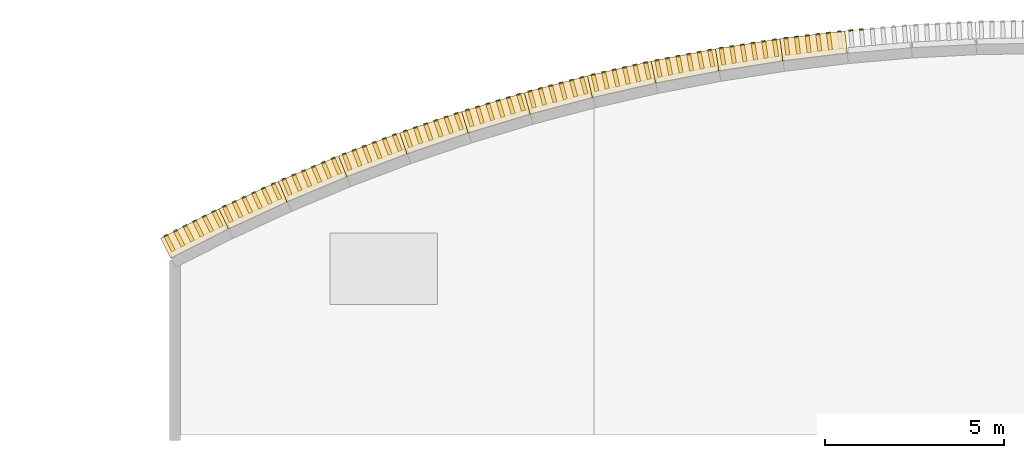
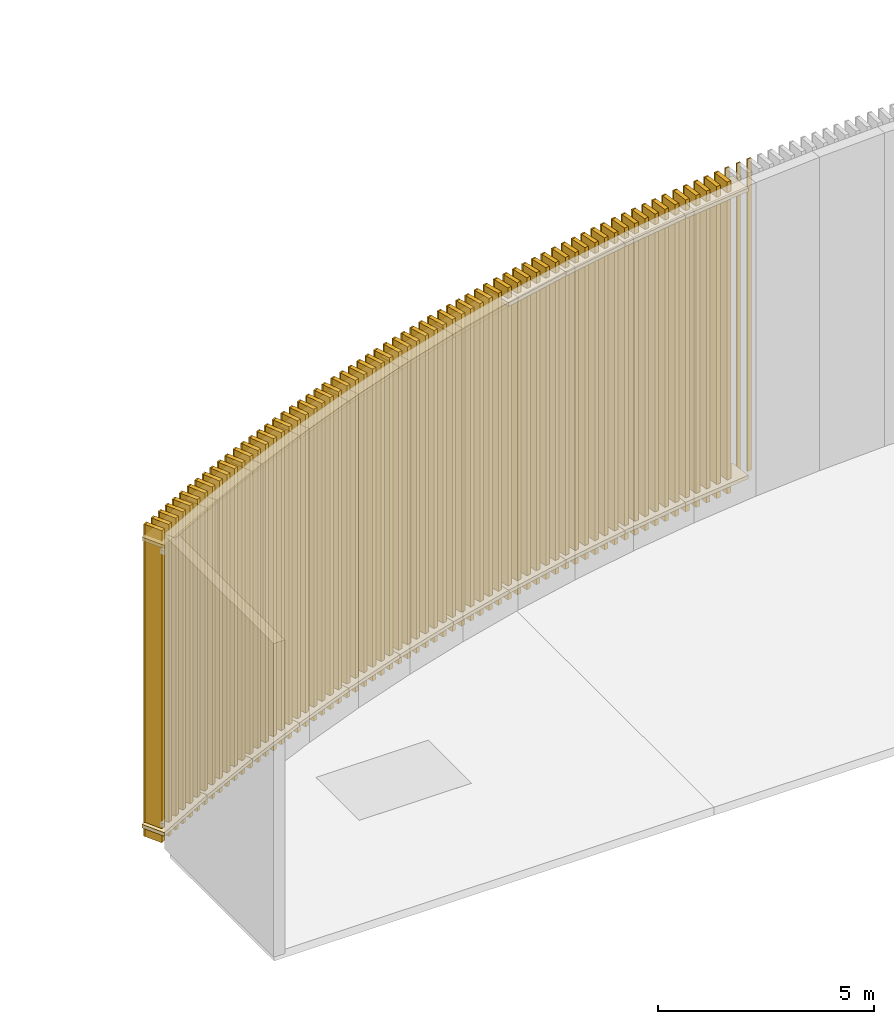
# One storey, part 30 of 32: 90 coverings, 65 shading devices.
"""IFC4 building model written with IfcOpenShell, lengths in metres."""

from ifc_helpers import new_model, si_unit, direction, frame, origin, origin_2d, place, context, subcontext, project, spatial, rectangle, extrude, material, layer, layer_set, type_object, element, save


model = new_model("IFC4")

# Units and contexts
model_context = context("Model", 3, precision=1e-05, world=origin(), true_north=direction((0.0, 1.0)))
body_context = subcontext(model_context, "Body", "Model", "MODEL_VIEW")
ifc_project = project(units=[si_unit("LENGTHUNIT", "METRE"), si_unit("AREAUNIT", "SQUARE_METRE"), si_unit("VOLUMEUNIT", "CUBIC_METRE"), si_unit("PLANEANGLEUNIT", "RADIAN"), si_unit("MASSUNIT", "GRAM", prefix="KILO")], contexts=[model_context])

# Site, building, storey
site_placement = place(None, origin())
site = spatial("IfcSite", under=ifc_project, at=site_placement, CompositionType="ELEMENT")
building_placement = place(site_placement, origin())
building = spatial("IfcBuilding", under=site, at=building_placement, Name="Sardonyx Promenade Sports Hall", CompositionType="ELEMENT")
storey_placement = place(building_placement, frame((0.0, 0.0, 20.39990234375)))
storey = spatial("IfcBuildingStorey", under=building, at=storey_placement, Name="L04", CompositionType="ELEMENT", Elevation=20.39990234375)

# Coverings
ifc_material_1 = material(Name="Glulam GL28h", Category="wood")
ifc_layer = layer(ifc_material_1, 0.110107421875)
ifc_layer_set = layer_set([ifc_layer], Name="Cov_Louvre_GL28h")
covering_type = type_object("IfcCoveringType", Name="Cov_Louvre_GL28h", PredefinedType="MOLDING", material=ifc_layer_set)
for number, where, z_axis, x_axis, name in (
    (1, (30.3701171875, 110.028076171875, 0.320068359375), (0.0, 0.0, 1.0), (0.892773817004, 0.450505173857, 0.0), "Bowed louvre carrier rail L04 CH01 #1"),
    (2, (30.3701171875, 110.028076171875, 8.429931640625), (0.0, 0.0, 1.0), (0.892773817004, 0.450505173857, 0.0), "Bowed louvre carrier rail L04 CH01 #2"),
):
    element("IfcCovering", number, at=place(storey_placement, frame(where, z_axis=z_axis, x_axis=x_axis)), inside=storey, type_object=covering_type, Name=name, PredefinedType="MOLDING", context=body_context, shape_type="SweptSolid", body=[
        extrude(rectangle(XDim=1.820068359375, YDim=0.6201171875, at=origin_2d()), origin(), (0.0, 0.0, 1.0), 0.10009765625),
    ])
for number, where, z_axis, x_axis, name in (
    (3, (29.560791015625, 109.966796875, 0.02001953125), (0.0, 0.0, 1.0), (0.892773817004, 0.450505173857, 0.0), "Timber louvre nose molding L04 CH01 #1"),
    (4, (29.82861328125, 110.10205078125, 0.02001953125), (0.0, 0.0, 1.0), (0.892773817004, 0.450505173857, 0.0), "Timber louvre nose molding L04 CH01 #2"),
    (5, (30.096435546875, 110.237060546875, 0.02001953125), (0.0, 0.0, 1.0), (0.892773817004, 0.450505173857, 0.0), "Timber louvre nose molding L04 CH01 #3"),
    (6, (30.3642578125, 110.372314453125, 0.02001953125), (0.0, 0.0, 1.0), (0.892773817004, 0.450505173857, 0.0), "Timber louvre nose molding L04 CH01 #4"),
    (7, (30.632080078125, 110.507568359375, 0.02001953125), (0.0, 0.0, 1.0), (0.892773817004, 0.450505173857, 0.0), "Timber louvre nose molding L04 CH01 #5"),
    (8, (30.89990234375, 110.642578125, 0.02001953125), (0.0, 0.0, 1.0), (0.892773817004, 0.450505173857, 0.0), "Timber louvre nose molding L04 CH01 #6"),
):
    element("IfcCovering", number, at=place(storey_placement, frame(where, z_axis=z_axis, x_axis=x_axis)), inside=storey, type_object=covering_type, Name=name, PredefinedType="MOLDING", context=body_context, shape_type="SweptSolid", body=[
        extrude(rectangle(XDim=0.110107421875, YDim=0.0400390625, at=origin_2d()), origin(), (0.0, 0.0, 1.0), 8.81005859375),
    ])
for number, where, z_axis, x_axis, name in (
    (9, (32.0048828125, 110.817626953125, 0.320068359375), (0.0, 0.0, 1.0), (0.90783091315, 0.419336419989, 0.0), "Bowed louvre carrier rail L04 CH02 #1"),
    (10, (32.0048828125, 110.817626953125, 8.429931640625), (0.0, 0.0, 1.0), (0.90783091315, 0.419336419989, 0.0), "Bowed louvre carrier rail L04 CH02 #2"),
):
    element("IfcCovering", number, at=place(storey_placement, frame(where, z_axis=z_axis, x_axis=x_axis)), inside=storey, type_object=covering_type, Name=name, PredefinedType="MOLDING", context=body_context, shape_type="SweptSolid", body=[
        extrude(rectangle(XDim=1.820068359375, YDim=0.6201171875, at=origin_2d()), origin(), (0.0, 0.0, 1.0), 0.10009765625),
    ])
for number, where, z_axis, x_axis, name in (
    (11, (31.194091796875, 110.78466796875, 0.02001953125), (0.0, 0.0, 1.0), (0.90783091315, 0.419336419989, 0.0), "Timber louvre nose molding L04 CH02 #1"),
    (12, (31.46630859375, 110.910400390625, 0.02001953125), (0.0, 0.0, 1.0), (0.90783091315, 0.419336419989, 0.0), "Timber louvre nose molding L04 CH02 #2"),
    (13, (31.73876953125, 111.036376953125, 0.02001953125), (0.0, 0.0, 1.0), (0.90783091315, 0.419336419989, 0.0), "Timber louvre nose molding L04 CH02 #3"),
    (14, (32.010986328125, 111.162109375, 0.02001953125), (0.0, 0.0, 1.0), (0.90783091315, 0.419336419989, 0.0), "Timber louvre nose molding L04 CH02 #4"),
    (15, (32.283447265625, 111.287841796875, 0.02001953125), (0.0, 0.0, 1.0), (0.90783091315, 0.419336419989, 0.0), "Timber louvre nose molding L04 CH02 #5"),
    (16, (32.5556640625, 111.41357421875, 0.02001953125), (0.0, 0.0, 1.0), (0.90783091315, 0.419336419989, 0.0), "Timber louvre nose molding L04 CH02 #6"),
):
    element("IfcCovering", number, at=place(storey_placement, frame(where, z_axis=z_axis, x_axis=x_axis)), inside=storey, type_object=covering_type, Name=name, PredefinedType="MOLDING", context=body_context, shape_type="SweptSolid", body=[
        extrude(rectangle(XDim=0.110107421875, YDim=0.0400390625, at=origin_2d()), origin(), (0.0, 0.0, 1.0), 8.81005859375),
    ])
for number, where, z_axis, x_axis, name in (
    (17, (33.666015625, 111.550537109375, 0.320068359375), (0.0, 0.0, 1.0), (0.921800239612, 0.387665214136, 0.0), "Bowed louvre carrier rail L04 CH03 #1"),
    (18, (33.666015625, 111.550537109375, 8.429931640625), (0.0, 0.0, 1.0), (0.921800239612, 0.387665214136, 0.0), "Bowed louvre carrier rail L04 CH03 #2"),
):
    element("IfcCovering", number, at=place(storey_placement, frame(where, z_axis=z_axis, x_axis=x_axis)), inside=storey, type_object=covering_type, Name=name, PredefinedType="MOLDING", context=body_context, shape_type="SweptSolid", body=[
        extrude(rectangle(XDim=1.820068359375, YDim=0.6201171875, at=origin_2d()), origin(), (0.0, 0.0, 1.0), 0.10009765625),
    ])
for number, where, z_axis, x_axis, name in (
    (19, (32.8544921875, 111.54541015625, 0.02001953125), (0.0, 0.0, 1.0), (0.921800239612, 0.387665214136, 0.0), "Timber louvre nose molding L04 CH03 #1"),
    (20, (33.131103515625, 111.661865234375, 0.02001953125), (0.0, 0.0, 1.0), (0.921800239612, 0.387665214136, 0.0), "Timber louvre nose molding L04 CH03 #2"),
    (21, (33.40771484375, 111.778076171875, 0.02001953125), (0.0, 0.0, 1.0), (0.921800239612, 0.387665214136, 0.0), "Timber louvre nose molding L04 CH03 #3"),
    (22, (33.684326171875, 111.894287109375, 0.02001953125), (0.0, 0.0, 1.0), (0.921800239612, 0.387665214136, 0.0), "Timber louvre nose molding L04 CH03 #4"),
    (23, (33.960693359375, 112.0107421875, 0.02001953125), (0.0, 0.0, 1.0), (0.921800239612, 0.387665214136, 0.0), "Timber louvre nose molding L04 CH03 #5"),
    (24, (34.2373046875, 112.126953125, 0.02001953125), (0.0, 0.0, 1.0), (0.921800239612, 0.387665214136, 0.0), "Timber louvre nose molding L04 CH03 #6"),
):
    element("IfcCovering", number, at=place(storey_placement, frame(where, z_axis=z_axis, x_axis=x_axis)), inside=storey, type_object=covering_type, Name=name, PredefinedType="MOLDING", context=body_context, shape_type="SweptSolid", body=[
        extrude(rectangle(XDim=0.110107421875, YDim=0.0400390625, at=origin_2d()), origin(), (0.0, 0.0, 1.0), 8.81005859375),
    ])
for number, where, z_axis, x_axis, name in (
    (25, (35.351806640625, 112.225341796875, 0.320068359375), (0.0, 0.0, 1.0), (0.934665678755, 0.355527873671, 0.0), "Bowed louvre carrier rail L04 CH04 #1"),
    (26, (35.351806640625, 112.225341796875, 8.429931640625), (0.0, 0.0, 1.0), (0.934665678755, 0.355527873671, 0.0), "Bowed louvre carrier rail L04 CH04 #2"),
):
    element("IfcCovering", number, at=place(storey_placement, frame(where, z_axis=z_axis, x_axis=x_axis)), inside=storey, type_object=covering_type, Name=name, PredefinedType="MOLDING", context=body_context, shape_type="SweptSolid", body=[
        extrude(rectangle(XDim=1.820068359375, YDim=0.6201171875, at=origin_2d()), origin(), (0.0, 0.0, 1.0), 0.10009765625),
    ])
for number, where, z_axis, x_axis, name in (
    (27, (34.54052734375, 112.248291015625, 0.02001953125), (0.0, 0.0, 1.0), (0.934665678755, 0.355527873671, 0.0), "Timber louvre nose molding L04 CH04 #1"),
    (28, (34.82080078125, 112.35498046875, 0.02001953125), (0.0, 0.0, 1.0), (0.934665678755, 0.355527873671, 0.0), "Timber louvre nose molding L04 CH04 #2"),
    (29, (35.101318359375, 112.461669921875, 0.02001953125), (0.0, 0.0, 1.0), (0.934665678755, 0.355527873671, 0.0), "Timber louvre nose molding L04 CH04 #3"),
    (30, (35.3818359375, 112.568359375, 0.02001953125), (0.0, 0.0, 1.0), (0.934665678755, 0.355527873671, 0.0), "Timber louvre nose molding L04 CH04 #4"),
    (31, (35.662109375, 112.675048828125, 0.02001953125), (0.0, 0.0, 1.0), (0.934665678755, 0.355527873671, 0.0), "Timber louvre nose molding L04 CH04 #5"),
    (32, (35.942626953125, 112.78173828125, 0.02001953125), (0.0, 0.0, 1.0), (0.934665678755, 0.355527873671, 0.0), "Timber louvre nose molding L04 CH04 #6"),
):
    element("IfcCovering", number, at=place(storey_placement, frame(where, z_axis=z_axis, x_axis=x_axis)), inside=storey, type_object=covering_type, Name=name, PredefinedType="MOLDING", context=body_context, shape_type="SweptSolid", body=[
        extrude(rectangle(XDim=0.110107421875, YDim=0.0400390625, at=origin_2d()), origin(), (0.0, 0.0, 1.0), 8.81005859375),
    ])
for number, where, z_axis, x_axis, name in (
    (33, (37.0595703125, 112.84130859375, 0.320068359375), (0.0, 0.0, 1.0), (0.946410517999, 0.322966145935, 0.0), "Bowed louvre carrier rail L04 CH05 #1"),
    (34, (37.0595703125, 112.84130859375, 8.429931640625), (0.0, 0.0, 1.0), (0.946410517999, 0.322966145935, 0.0), "Bowed louvre carrier rail L04 CH05 #2"),
):
    element("IfcCovering", number, at=place(storey_placement, frame(where, z_axis=z_axis, x_axis=x_axis)), inside=storey, type_object=covering_type, Name=name, PredefinedType="MOLDING", context=body_context, shape_type="SweptSolid", body=[
        extrude(rectangle(XDim=1.820068359375, YDim=0.6201171875, at=origin_2d()), origin(), (0.0, 0.0, 1.0), 0.10009765625),
    ])
for number, where, z_axis, x_axis, name in (
    (35, (36.249755859375, 112.892578125, 0.02001953125), (0.0, 0.0, 1.0), (0.946410517999, 0.322966145935, 0.0), "Timber louvre nose molding L04 CH05 #1"),
    (36, (36.53369140625, 112.9892578125, 0.02001953125), (0.0, 0.0, 1.0), (0.946410517999, 0.322966145935, 0.0), "Timber louvre nose molding L04 CH05 #2"),
    (37, (36.817626953125, 113.086181640625, 0.02001953125), (0.0, 0.0, 1.0), (0.946410517999, 0.322966145935, 0.0), "Timber louvre nose molding L04 CH05 #3"),
    (38, (37.1015625, 113.18310546875, 0.02001953125), (0.0, 0.0, 1.0), (0.946410517999, 0.322966145935, 0.0), "Timber louvre nose molding L04 CH05 #4"),
    (39, (37.385498046875, 113.280029296875, 0.02001953125), (0.0, 0.0, 1.0), (0.946410517999, 0.322966145935, 0.0), "Timber louvre nose molding L04 CH05 #5"),
    (40, (37.66943359375, 113.376953125, 0.02001953125), (0.0, 0.0, 1.0), (0.946410517999, 0.322966145935, 0.0), "Timber louvre nose molding L04 CH05 #6"),
):
    element("IfcCovering", number, at=place(storey_placement, frame(where, z_axis=z_axis, x_axis=x_axis)), inside=storey, type_object=covering_type, Name=name, PredefinedType="MOLDING", context=body_context, shape_type="SweptSolid", body=[
        extrude(rectangle(XDim=0.110107421875, YDim=0.0400390625, at=origin_2d()), origin(), (0.0, 0.0, 1.0), 8.81005859375),
    ])
for number, where, z_axis, x_axis, name in (
    (41, (38.787841796875, 113.39794921875, 0.320068359375), (0.0, 0.0, 1.0), (0.957021361193, 0.290017437786, 0.0), "Bowed louvre carrier rail L04 CH06 #1"),
    (42, (38.787841796875, 113.39794921875, 8.429931640625), (0.0, 0.0, 1.0), (0.957021361193, 0.290017437786, 0.0), "Bowed louvre carrier rail L04 CH06 #2"),
):
    element("IfcCovering", number, at=place(storey_placement, frame(where, z_axis=z_axis, x_axis=x_axis)), inside=storey, type_object=covering_type, Name=name, PredefinedType="MOLDING", context=body_context, shape_type="SweptSolid", body=[
        extrude(rectangle(XDim=1.820068359375, YDim=0.6201171875, at=origin_2d()), origin(), (0.0, 0.0, 1.0), 0.10009765625),
    ])
for number, where, z_axis, x_axis, name in (
    (43, (37.980224609375, 113.47705078125, 0.02001953125), (0.0, 0.0, 1.0), (0.957021361193, 0.290017437786, 0.0), "Timber louvre nose molding L04 CH06 #1"),
    (44, (38.267333984375, 113.56396484375, 0.02001953125), (0.0, 0.0, 1.0), (0.957021361193, 0.290017437786, 0.0), "Timber louvre nose molding L04 CH06 #2"),
    (45, (38.554443359375, 113.651123046875, 0.02001953125), (0.0, 0.0, 1.0), (0.957021361193, 0.290017437786, 0.0), "Timber louvre nose molding L04 CH06 #3"),
    (46, (38.841552734375, 113.738037109375, 0.02001953125), (0.0, 0.0, 1.0), (0.957021361193, 0.290017437786, 0.0), "Timber louvre nose molding L04 CH06 #4"),
    (47, (39.128662109375, 113.824951171875, 0.02001953125), (0.0, 0.0, 1.0), (0.957021361193, 0.290017437786, 0.0), "Timber louvre nose molding L04 CH06 #5"),
    (48, (39.415771484375, 113.912109375, 0.02001953125), (0.0, 0.0, 1.0), (0.957021361193, 0.290017437786, 0.0), "Timber louvre nose molding L04 CH06 #6"),
):
    element("IfcCovering", number, at=place(storey_placement, frame(where, z_axis=z_axis, x_axis=x_axis)), inside=storey, type_object=covering_type, Name=name, PredefinedType="MOLDING", context=body_context, shape_type="SweptSolid", body=[
        extrude(rectangle(XDim=0.110107421875, YDim=0.0400390625, at=origin_2d()), origin(), (0.0, 0.0, 1.0), 8.81005859375),
    ])
for number, where, z_axis, x_axis, name in (
    (49, (40.534423828125, 113.894287109375, 0.320068359375), (0.0, 0.0, 1.0), (0.966485494347, 0.256721228607, 0.0), "Bowed louvre carrier rail L04 CH07 #1"),
    (50, (40.534423828125, 113.894287109375, 8.429931640625), (0.0, 0.0, 1.0), (0.966485494347, 0.256721228607, 0.0), "Bowed louvre carrier rail L04 CH07 #2"),
):
    element("IfcCovering", number, at=place(storey_placement, frame(where, z_axis=z_axis, x_axis=x_axis)), inside=storey, type_object=covering_type, Name=name, PredefinedType="MOLDING", context=body_context, shape_type="SweptSolid", body=[
        extrude(rectangle(XDim=1.820068359375, YDim=0.6201171875, at=origin_2d()), origin(), (0.0, 0.0, 1.0), 0.10009765625),
    ])
for number, where, z_axis, x_axis, name in (
    (51, (39.72998046875, 114.00146484375, 0.02001953125), (0.0, 0.0, 1.0), (0.966485494347, 0.256721228607, 0.0), "Timber louvre nose molding L04 CH07 #1"),
    (52, (40.019775390625, 114.078369140625, 0.02001953125), (0.0, 0.0, 1.0), (0.966485494347, 0.256721228607, 0.0), "Timber louvre nose molding L04 CH07 #2"),
    (53, (40.309814453125, 114.155517578125, 0.02001953125), (0.0, 0.0, 1.0), (0.966485494347, 0.256721228607, 0.0), "Timber louvre nose molding L04 CH07 #3"),
    (54, (40.599853515625, 114.232421875, 0.02001953125), (0.0, 0.0, 1.0), (0.966485494347, 0.256721228607, 0.0), "Timber louvre nose molding L04 CH07 #4"),
    (55, (40.8896484375, 114.309326171875, 0.02001953125), (0.0, 0.0, 1.0), (0.966485494347, 0.256721228607, 0.0), "Timber louvre nose molding L04 CH07 #5"),
    (56, (41.1796875, 114.386474609375, 0.02001953125), (0.0, 0.0, 1.0), (0.966485494347, 0.256721228607, 0.0), "Timber louvre nose molding L04 CH07 #6"),
):
    element("IfcCovering", number, at=place(storey_placement, frame(where, z_axis=z_axis, x_axis=x_axis)), inside=storey, type_object=covering_type, Name=name, PredefinedType="MOLDING", context=body_context, shape_type="SweptSolid", body=[
        extrude(rectangle(XDim=0.110107421875, YDim=0.0400390625, at=origin_2d()), origin(), (0.0, 0.0, 1.0), 8.81005859375),
    ])
for number, where, z_axis, x_axis, name in (
    (57, (42.297119140625, 114.330078125, 0.320068359375), (0.0, 0.0, 1.0), (0.974791577465, 0.223117414163, 0.0), "Bowed louvre carrier rail L04 CH08 #1"),
    (58, (42.297119140625, 114.330078125, 8.429931640625), (0.0, 0.0, 1.0), (0.974791577465, 0.223117414163, 0.0), "Bowed louvre carrier rail L04 CH08 #2"),
):
    element("IfcCovering", number, at=place(storey_placement, frame(where, z_axis=z_axis, x_axis=x_axis)), inside=storey, type_object=covering_type, Name=name, PredefinedType="MOLDING", context=body_context, shape_type="SweptSolid", body=[
        extrude(rectangle(XDim=1.820068359375, YDim=0.6201171875, at=origin_2d()), origin(), (0.0, 0.0, 1.0), 0.10009765625),
    ])
for number, where, z_axis, x_axis, name in (
    (59, (41.496826171875, 114.46484375, 0.02001953125), (0.0, 0.0, 1.0), (0.974791577465, 0.223117414163, 0.0), "Timber louvre nose molding L04 CH08 #1"),
    (60, (41.7890625, 114.53173828125, 0.02001953125), (0.0, 0.0, 1.0), (0.974791577465, 0.223117414163, 0.0), "Timber louvre nose molding L04 CH08 #2"),
    (61, (42.08154296875, 114.5986328125, 0.02001953125), (0.0, 0.0, 1.0), (0.974791577465, 0.223117414163, 0.0), "Timber louvre nose molding L04 CH08 #3"),
    (62, (42.3740234375, 114.66552734375, 0.02001953125), (0.0, 0.0, 1.0), (0.974791577465, 0.223117414163, 0.0), "Timber louvre nose molding L04 CH08 #4"),
    (63, (42.66650390625, 114.732666015625, 0.02001953125), (0.0, 0.0, 1.0), (0.974791577465, 0.223117414163, 0.0), "Timber louvre nose molding L04 CH08 #5"),
    (64, (42.958984375, 114.799560546875, 0.02001953125), (0.0, 0.0, 1.0), (0.974791577465, 0.223117414163, 0.0), "Timber louvre nose molding L04 CH08 #6"),
):
    element("IfcCovering", number, at=place(storey_placement, frame(where, z_axis=z_axis, x_axis=x_axis)), inside=storey, type_object=covering_type, Name=name, PredefinedType="MOLDING", context=body_context, shape_type="SweptSolid", body=[
        extrude(rectangle(XDim=0.110107421875, YDim=0.0400390625, at=origin_2d()), origin(), (0.0, 0.0, 1.0), 8.81005859375),
    ])
for number, where, z_axis, x_axis, name in (
    (65, (44.07373046875, 114.704345703125, 0.320068359375), (0.0, 0.0, 1.0), (0.981929658139, 0.18924625879, 0.0), "Bowed louvre carrier rail L04 CH09 #1"),
    (66, (44.07373046875, 114.704345703125, 8.429931640625), (0.0, 0.0, 1.0), (0.981929658139, 0.18924625879, 0.0), "Bowed louvre carrier rail L04 CH09 #2"),
):
    element("IfcCovering", number, at=place(storey_placement, frame(where, z_axis=z_axis, x_axis=x_axis)), inside=storey, type_object=covering_type, Name=name, PredefinedType="MOLDING", context=body_context, shape_type="SweptSolid", body=[
        extrude(rectangle(XDim=1.820068359375, YDim=0.6201171875, at=origin_2d()), origin(), (0.0, 0.0, 1.0), 0.10009765625),
    ])
for number, where, z_axis, x_axis, name in (
    (67, (43.278564453125, 114.866943359375, 0.02001953125), (0.0, 0.0, 1.0), (0.981929658139, 0.18924625879, 0.0), "Timber louvre nose molding L04 CH09 #1"),
    (68, (43.572998046875, 114.923583984375, 0.02001953125), (0.0, 0.0, 1.0), (0.981929658139, 0.18924625879, 0.0), "Timber louvre nose molding L04 CH09 #2"),
    (69, (43.86767578125, 114.98046875, 0.02001953125), (0.0, 0.0, 1.0), (0.981929658139, 0.18924625879, 0.0), "Timber louvre nose molding L04 CH09 #3"),
    (70, (44.162353515625, 115.037109375, 0.02001953125), (0.0, 0.0, 1.0), (0.981929658139, 0.18924625879, 0.0), "Timber louvre nose molding L04 CH09 #4"),
    (71, (44.456787109375, 115.093994140625, 0.02001953125), (0.0, 0.0, 1.0), (0.981929658139, 0.18924625879, 0.0), "Timber louvre nose molding L04 CH09 #5"),
    (72, (44.75146484375, 115.150634765625, 0.02001953125), (0.0, 0.0, 1.0), (0.981929658139, 0.18924625879, 0.0), "Timber louvre nose molding L04 CH09 #6"),
):
    element("IfcCovering", number, at=place(storey_placement, frame(where, z_axis=z_axis, x_axis=x_axis)), inside=storey, type_object=covering_type, Name=name, PredefinedType="MOLDING", context=body_context, shape_type="SweptSolid", body=[
        extrude(rectangle(XDim=0.110107421875, YDim=0.0400390625, at=origin_2d()), origin(), (0.0, 0.0, 1.0), 8.81005859375),
    ])
for number, where, z_axis, x_axis, name in (
    (73, (45.862060546875, 115.01708984375, 0.320068359375), (0.0, 0.0, 1.0), (0.987891183468, 0.155148347157, 0.0), "Bowed louvre carrier rail L04 CH10 #1"),
    (74, (45.862060546875, 115.01708984375, 8.429931640625), (0.0, 0.0, 1.0), (0.987891183468, 0.155148347157, 0.0), "Bowed louvre carrier rail L04 CH10 #2"),
):
    element("IfcCovering", number, at=place(storey_placement, frame(where, z_axis=z_axis, x_axis=x_axis)), inside=storey, type_object=covering_type, Name=name, PredefinedType="MOLDING", context=body_context, shape_type="SweptSolid", body=[
        extrude(rectangle(XDim=1.820068359375, YDim=0.6201171875, at=origin_2d()), origin(), (0.0, 0.0, 1.0), 0.10009765625),
    ])
for number, where, z_axis, x_axis, name in (
    (75, (45.0732421875, 115.20703125, 0.02001953125), (0.0, 0.0, 1.0), (0.987891183468, 0.155148347157, 0.0), "Timber louvre nose molding L04 CH10 #1"),
    (76, (45.36962890625, 115.25341796875, 0.02001953125), (0.0, 0.0, 1.0), (0.987891183468, 0.155148347157, 0.0), "Timber louvre nose molding L04 CH10 #2"),
    (77, (45.665771484375, 115.300048828125, 0.02001953125), (0.0, 0.0, 1.0), (0.987891183468, 0.155148347157, 0.0), "Timber louvre nose molding L04 CH10 #3"),
    (78, (45.962158203125, 115.3466796875, 0.02001953125), (0.0, 0.0, 1.0), (0.987891183468, 0.155148347157, 0.0), "Timber louvre nose molding L04 CH10 #4"),
    (79, (46.258544921875, 115.39306640625, 0.02001953125), (0.0, 0.0, 1.0), (0.987891183468, 0.155148347157, 0.0), "Timber louvre nose molding L04 CH10 #5"),
    (80, (46.554931640625, 115.439697265625, 0.02001953125), (0.0, 0.0, 1.0), (0.987891183468, 0.155148347157, 0.0), "Timber louvre nose molding L04 CH10 #6"),
):
    element("IfcCovering", number, at=place(storey_placement, frame(where, z_axis=z_axis, x_axis=x_axis)), inside=storey, type_object=covering_type, Name=name, PredefinedType="MOLDING", context=body_context, shape_type="SweptSolid", body=[
        extrude(rectangle(XDim=0.110107421875, YDim=0.0400390625, at=origin_2d()), origin(), (0.0, 0.0, 1.0), 8.81005859375),
    ])
for number, where, z_axis, x_axis, name in (
    (81, (47.660400390625, 115.267578125, 0.320068359375), (0.0, 0.0, 1.0), (0.992669221255, 0.120862803098, 0.0), "Bowed louvre carrier rail L04 CH11 #1"),
    (82, (47.660400390625, 115.267578125, 8.429931640625), (0.0, 0.0, 1.0), (0.992669221255, 0.120862803098, 0.0), "Bowed louvre carrier rail L04 CH11 #2"),
):
    element("IfcCovering", number, at=place(storey_placement, frame(where, z_axis=z_axis, x_axis=x_axis)), inside=storey, type_object=covering_type, Name=name, PredefinedType="MOLDING", context=body_context, shape_type="SweptSolid", body=[
        extrude(rectangle(XDim=1.820068359375, YDim=0.6201171875, at=origin_2d()), origin(), (0.0, 0.0, 1.0), 0.10009765625),
    ])
for number, where, z_axis, x_axis, name in (
    (83, (46.87841796875, 115.48486328125, 0.02001953125), (0.0, 0.0, 1.0), (0.992669221255, 0.120862803098, 0.0), "Timber louvre nose molding L04 CH11 #1"),
    (84, (47.17626953125, 115.52099609375, 0.02001953125), (0.0, 0.0, 1.0), (0.992669221255, 0.120862803098, 0.0), "Timber louvre nose molding L04 CH11 #2"),
    (85, (47.47412109375, 115.557373046875, 0.02001953125), (0.0, 0.0, 1.0), (0.992669221255, 0.120862803098, 0.0), "Timber louvre nose molding L04 CH11 #3"),
    (86, (47.77197265625, 115.593505859375, 0.02001953125), (0.0, 0.0, 1.0), (0.992669221255, 0.120862803098, 0.0), "Timber louvre nose molding L04 CH11 #4"),
    (87, (48.069580078125, 115.6298828125, 0.02001953125), (0.0, 0.0, 1.0), (0.992669221255, 0.120862803098, 0.0), "Timber louvre nose molding L04 CH11 #5"),
    (88, (48.367431640625, 115.666015625, 0.02001953125), (0.0, 0.0, 1.0), (0.992669221255, 0.120862803098, 0.0), "Timber louvre nose molding L04 CH11 #6"),
    (89, (48.6923828125, 115.699951171875, 0.02001953125), (0.0, 0.0, 1.0), (0.99625756469, 0.086434164533, 0.0), "Timber louvre nose molding L04 CH12 #1"),
    (90, (48.9912109375, 115.725830078125, 0.02001953125), (0.0, 0.0, 1.0), (0.99625756469, 0.086434164533, 0.0), "Timber louvre nose molding L04 CH12 #2"),
):
    element("IfcCovering", number, at=place(storey_placement, frame(where, z_axis=z_axis, x_axis=x_axis)), inside=storey, type_object=covering_type, Name=name, PredefinedType="MOLDING", context=body_context, shape_type="SweptSolid", body=[
        extrude(rectangle(XDim=0.110107421875, YDim=0.0400390625, at=origin_2d()), origin(), (0.0, 0.0, 1.0), 8.81005859375),
    ])

# Shading devices
ifc_material_2 = material(Name="Glulam GL28h", Category="wood")
shading_device_type = type_object("IfcShadingDeviceType", Name="Shade_Louvre_GL28h", PredefinedType="USERDEFINED", material=ifc_material_2)
for number, where, z_axis, x_axis, name in (
    (91, (29.6734, 109.74365, 0.020098), (0.0, 0.0, 1.0), (0.89277382, 0.45050517, 0.0), "Timber louvre TL01 L04 CH01 #1"),
    (92, (29.941233, 109.878802, 0.020098), (0.0, 0.0, 1.0), (0.89277382, 0.45050517, 0.0), "Timber louvre TL01 L04 CH01 #2"),
    (93, (30.209065, 110.013953, 0.020098), (0.0, 0.0, 1.0), (0.89277382, 0.45050517, 0.0), "Timber louvre TL01 L04 CH01 #3"),
    (94, (30.476897, 110.149105, 0.020098), (0.0, 0.0, 1.0), (0.89277382, 0.45050517, 0.0), "Timber louvre TL01 L04 CH01 #4"),
    (95, (30.744729, 110.284256, 0.020098), (0.0, 0.0, 1.0), (0.89277382, 0.45050517, 0.0), "Timber louvre TL01 L04 CH01 #5"),
    (96, (31.012561, 110.419408, 0.020098), (0.0, 0.0, 1.0), (0.89277382, 0.45050517, 0.0), "Timber louvre TL01 L04 CH01 #6"),
    (97, (31.29886, 110.557714, 0.020098), (0.0, 0.0, 1.0), (0.90783091, 0.41933642, 0.0), "Timber louvre TL01 L04 CH02 #1"),
    (98, (31.571209, 110.683514, 0.020098), (0.0, 0.0, 1.0), (0.90783091, 0.41933642, 0.0), "Timber louvre TL01 L04 CH02 #2"),
    (99, (31.843559, 110.809315, 0.020098), (0.0, 0.0, 1.0), (0.90783091, 0.41933642, 0.0), "Timber louvre TL01 L04 CH02 #3"),
    (100, (32.115908, 110.935116, 0.020098), (0.0, 0.0, 1.0), (0.90783091, 0.41933642, 0.0), "Timber louvre TL01 L04 CH02 #4"),
    (101, (32.388257, 111.060917, 0.020098), (0.0, 0.0, 1.0), (0.90783091, 0.41933642, 0.0), "Timber louvre TL01 L04 CH02 #5"),
    (102, (32.660606, 111.186718, 0.020098), (0.0, 0.0, 1.0), (0.90783091, 0.41933642, 0.0), "Timber louvre TL01 L04 CH02 #6"),
    (103, (32.95152, 111.315032, 0.020098), (0.0, 0.0, 1.0), (0.92180024, 0.38766521, 0.0), "Timber louvre TL01 L04 CH03 #1"),
    (104, (33.22806, 111.431331, 0.020098), (0.0, 0.0, 1.0), (0.92180024, 0.38766521, 0.0), "Timber louvre TL01 L04 CH03 #2"),
    (105, (33.504601, 111.547631, 0.020098), (0.0, 0.0, 1.0), (0.92180024, 0.38766521, 0.0), "Timber louvre TL01 L04 CH03 #3"),
    (106, (33.781141, 111.66393, 0.020098), (0.0, 0.0, 1.0), (0.92180024, 0.38766521, 0.0), "Timber louvre TL01 L04 CH03 #4"),
    (107, (34.057681, 111.78023, 0.020098), (0.0, 0.0, 1.0), (0.92180024, 0.38766521, 0.0), "Timber louvre TL01 L04 CH03 #5"),
    (108, (34.334221, 111.896529, 0.020098), (0.0, 0.0, 1.0), (0.92180024, 0.38766521, 0.0), "Timber louvre TL01 L04 CH03 #6"),
    (109, (34.629402, 112.014698, 0.020098), (0.0, 0.0, 1.0), (0.93466568, 0.35552787, 0.0), "Timber louvre TL01 L04 CH04 #1"),
    (110, (34.909802, 112.121357, 0.020098), (0.0, 0.0, 1.0), (0.93466568, 0.35552787, 0.0), "Timber louvre TL01 L04 CH04 #2"),
    (111, (35.190201, 112.228015, 0.020098), (0.0, 0.0, 1.0), (0.93466568, 0.35552787, 0.0), "Timber louvre TL01 L04 CH04 #3"),
    (112, (35.470601, 112.334674, 0.020098), (0.0, 0.0, 1.0), (0.93466568, 0.35552787, 0.0), "Timber louvre TL01 L04 CH04 #4"),
    (113, (35.751001, 112.441332, 0.020098), (0.0, 0.0, 1.0), (0.93466568, 0.35552787, 0.0), "Timber louvre TL01 L04 CH04 #5"),
    (114, (36.0314, 112.547991, 0.020098), (0.0, 0.0, 1.0), (0.93466568, 0.35552787, 0.0), "Timber louvre TL01 L04 CH04 #6"),
    (115, (36.330494, 112.655872, 0.020098), (0.0, 0.0, 1.0), (0.94641052, 0.32296615, 0.0), "Timber louvre TL01 L04 CH05 #1"),
    (116, (36.614417, 112.752762, 0.020098), (0.0, 0.0, 1.0), (0.94641052, 0.32296615, 0.0), "Timber louvre TL01 L04 CH05 #2"),
    (117, (36.89834, 112.849652, 0.020098), (0.0, 0.0, 1.0), (0.94641052, 0.32296615, 0.0), "Timber louvre TL01 L04 CH05 #3"),
    (118, (37.182263, 112.946542, 0.020098), (0.0, 0.0, 1.0), (0.94641052, 0.32296615, 0.0), "Timber louvre TL01 L04 CH05 #4"),
    (119, (37.466186, 113.043432, 0.020098), (0.0, 0.0, 1.0), (0.94641052, 0.32296615, 0.0), "Timber louvre TL01 L04 CH05 #5"),
    (120, (37.750109, 113.140323, 0.020098), (0.0, 0.0, 1.0), (0.94641052, 0.32296615, 0.0), "Timber louvre TL01 L04 CH05 #6"),
    (121, (38.052757, 113.237788, 0.020098), (0.0, 0.0, 1.0), (0.95702136, 0.29001744, 0.0), "Timber louvre TL01 L04 CH06 #1"),
    (122, (38.339863, 113.324793, 0.020098), (0.0, 0.0, 1.0), (0.95702136, 0.29001744, 0.0), "Timber louvre TL01 L04 CH06 #2"),
    (123, (38.62697, 113.411798, 0.020098), (0.0, 0.0, 1.0), (0.95702136, 0.29001744, 0.0), "Timber louvre TL01 L04 CH06 #3"),
    (124, (38.914076, 113.498804, 0.020098), (0.0, 0.0, 1.0), (0.95702136, 0.29001744, 0.0), "Timber louvre TL01 L04 CH06 #4"),
    (125, (39.201182, 113.585809, 0.020098), (0.0, 0.0, 1.0), (0.95702136, 0.29001744, 0.0), "Timber louvre TL01 L04 CH06 #5"),
    (126, (39.488289, 113.672814, 0.020098), (0.0, 0.0, 1.0), (0.95702136, 0.29001744, 0.0), "Timber louvre TL01 L04 CH06 #6"),
    (127, (39.794129, 113.759747, 0.020098), (0.0, 0.0, 1.0), (0.96648549, 0.25672123, 0.0), "Timber louvre TL01 L04 CH07 #1"),
    (128, (40.084074, 113.836763, 0.020098), (0.0, 0.0, 1.0), (0.96648549, 0.25672123, 0.0), "Timber louvre TL01 L04 CH07 #2"),
    (129, (40.37402, 113.91378, 0.020098), (0.0, 0.0, 1.0), (0.96648549, 0.25672123, 0.0), "Timber louvre TL01 L04 CH07 #3"),
    (130, (40.663965, 113.990796, 0.020098), (0.0, 0.0, 1.0), (0.96648549, 0.25672123, 0.0), "Timber louvre TL01 L04 CH07 #4"),
    (131, (40.953911, 114.067813, 0.020098), (0.0, 0.0, 1.0), (0.96648549, 0.25672123, 0.0), "Timber louvre TL01 L04 CH07 #5"),
    (132, (41.243857, 114.144829, 0.020098), (0.0, 0.0, 1.0), (0.96648549, 0.25672123, 0.0), "Timber louvre TL01 L04 CH07 #6"),
    (133, (41.552523, 114.221124, 0.020098), (0.0, 0.0, 1.0), (0.97479158, 0.22311741, 0.0), "Timber louvre TL01 L04 CH08 #1"),
    (134, (41.84496, 114.288059, 0.020098), (0.0, 0.0, 1.0), (0.97479158, 0.22311741, 0.0), "Timber louvre TL01 L04 CH08 #2"),
    (135, (42.137398, 114.354995, 0.020098), (0.0, 0.0, 1.0), (0.97479158, 0.22311741, 0.0), "Timber louvre TL01 L04 CH08 #3"),
    (136, (42.429835, 114.42193, 0.020098), (0.0, 0.0, 1.0), (0.97479158, 0.22311741, 0.0), "Timber louvre TL01 L04 CH08 #4"),
    (137, (42.722273, 114.488865, 0.020098), (0.0, 0.0, 1.0), (0.97479158, 0.22311741, 0.0), "Timber louvre TL01 L04 CH08 #5"),
    (138, (43.01471, 114.5558, 0.020098), (0.0, 0.0, 1.0), (0.97479158, 0.22311741, 0.0), "Timber louvre TL01 L04 CH08 #6"),
    (139, (43.325831, 114.621366, 0.020098), (0.0, 0.0, 1.0), (0.98192966, 0.18924626, 0.0), "Timber louvre TL01 L04 CH09 #1"),
    (140, (43.62041, 114.67814, 0.020098), (0.0, 0.0, 1.0), (0.98192966, 0.18924626, 0.0), "Timber louvre TL01 L04 CH09 #2"),
    (141, (43.914989, 114.734914, 0.020098), (0.0, 0.0, 1.0), (0.98192966, 0.18924626, 0.0), "Timber louvre TL01 L04 CH09 #3"),
    (142, (44.209568, 114.791688, 0.020098), (0.0, 0.0, 1.0), (0.98192966, 0.18924626, 0.0), "Timber louvre TL01 L04 CH09 #4"),
    (143, (44.504147, 114.848462, 0.020098), (0.0, 0.0, 1.0), (0.98192966, 0.18924626, 0.0), "Timber louvre TL01 L04 CH09 #5"),
    (144, (44.798726, 114.905236, 0.020098), (0.0, 0.0, 1.0), (0.98192966, 0.18924626, 0.0), "Timber louvre TL01 L04 CH09 #6"),
    (145, (45.11193, 114.959995, 0.020098), (0.0, 0.0, 1.0), (0.98789118, 0.15514835, 0.0), "Timber louvre TL01 L04 CH10 #1"),
    (146, (45.408297, 115.006539, 0.020098), (0.0, 0.0, 1.0), (0.98789118, 0.15514835, 0.0), "Timber louvre TL01 L04 CH10 #2"),
    (147, (45.704665, 115.053083, 0.020098), (0.0, 0.0, 1.0), (0.98789118, 0.15514835, 0.0), "Timber louvre TL01 L04 CH10 #3"),
    (148, (46.001032, 115.099628, 0.020098), (0.0, 0.0, 1.0), (0.98789118, 0.15514835, 0.0), "Timber louvre TL01 L04 CH10 #4"),
    (149, (46.297399, 115.146172, 0.020098), (0.0, 0.0, 1.0), (0.98789118, 0.15514835, 0.0), "Timber louvre TL01 L04 CH10 #5"),
    (150, (46.593767, 115.192716, 0.020098), (0.0, 0.0, 1.0), (0.98789118, 0.15514835, 0.0), "Timber louvre TL01 L04 CH10 #6"),
    (151, (46.908679, 115.236602, 0.020098), (0.0, 0.0, 1.0), (0.99266922, 0.1208628, 0.0), "Timber louvre TL01 L04 CH11 #1"),
    (152, (47.20648, 115.272861, 0.020098), (0.0, 0.0, 1.0), (0.99266922, 0.1208628, 0.0), "Timber louvre TL01 L04 CH11 #2"),
    (153, (47.504281, 115.30912, 0.020098), (0.0, 0.0, 1.0), (0.99266922, 0.1208628, 0.0), "Timber louvre TL01 L04 CH11 #3"),
    (154, (47.802082, 115.345379, 0.020098), (0.0, 0.0, 1.0), (0.99266922, 0.1208628, 0.0), "Timber louvre TL01 L04 CH11 #4"),
    (155, (48.099882, 115.381639, 0.020098), (0.0, 0.0, 1.0), (0.99266922, 0.1208628, 0.0), "Timber louvre TL01 L04 CH11 #5"),
):
    element("IfcShadingDevice", number, at=place(storey_placement, frame(where, z_axis=z_axis, x_axis=x_axis)), inside=storey, type_object=shading_device_type, material=ifc_material_2, Name=name, ObjectType="LOUVRE", PredefinedType="USERDEFINED", context=body_context, shape_type="SweptSolid", body=[
        extrude(rectangle(XDim=0.11, YDim=0.46), origin(), (0.0, 0.0, 1.0), 8.81),
    ])

save(model, "model.ifc")
